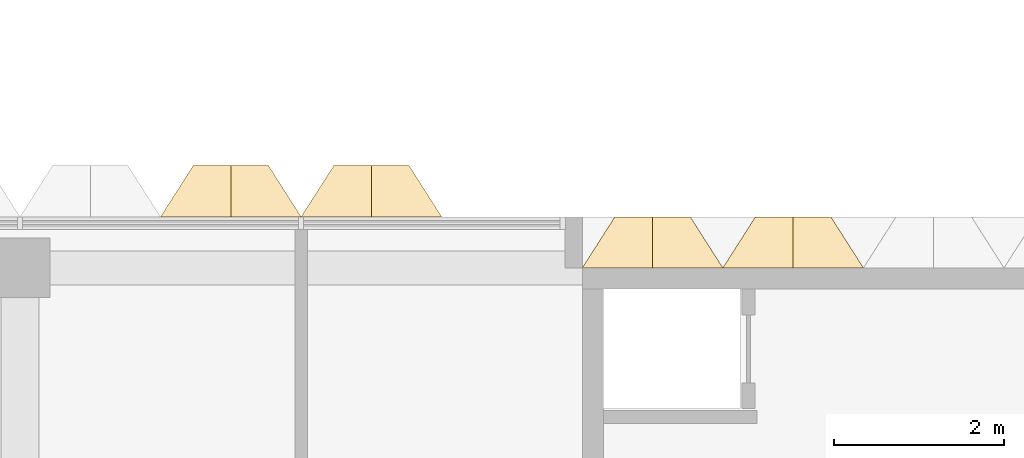
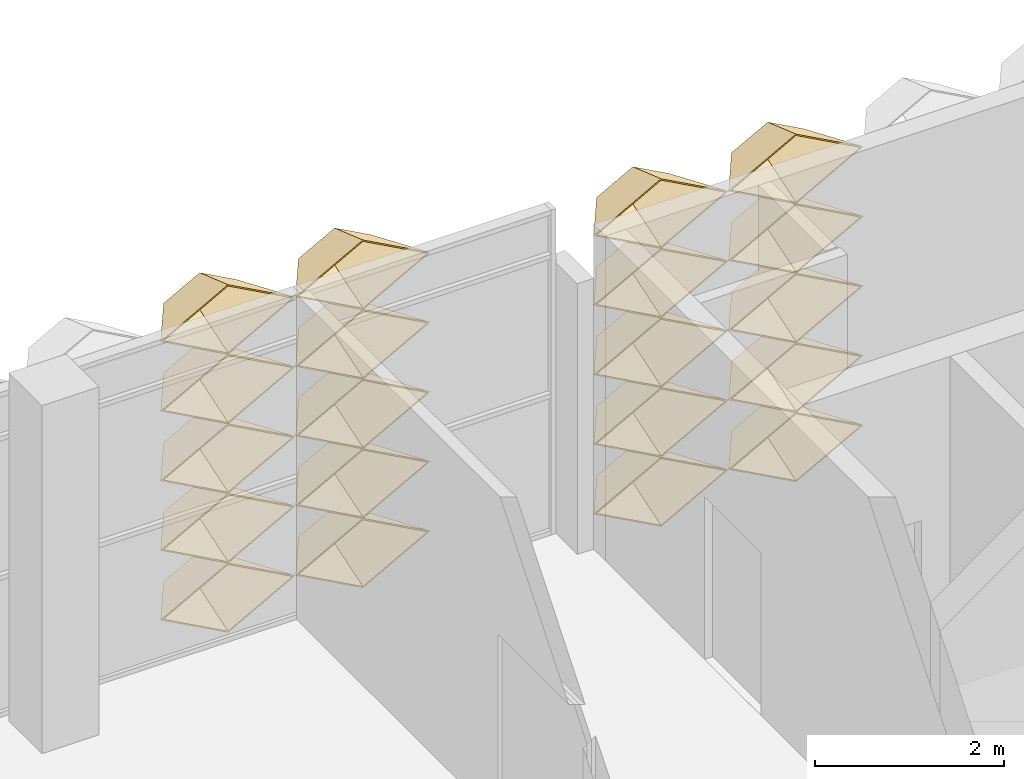
# One storey, part 51 of 85: 20 coverings.
"""IFC4 building model written with IfcOpenShell, lengths in metres."""

from ifc_helpers import new_model, entity, si_unit, direction, frame, origin, place, context, subcontext, project, spatial, material, layer, layer_set, type_object, element, save


model = new_model("IFC4")

# Units and contexts
model_context = context("Model", 3, precision=1e-05, world=origin(), true_north=direction((0.0, 1.0)))
body_context = subcontext(model_context, "Body", "Model", "MODEL_VIEW")
ifc_project = project(units=[si_unit("LENGTHUNIT", "METRE"), si_unit("AREAUNIT", "SQUARE_METRE"), si_unit("VOLUMEUNIT", "CUBIC_METRE"), si_unit("PLANEANGLEUNIT", "RADIAN"), si_unit("MASSUNIT", "GRAM", prefix="KILO")], contexts=[model_context])

# Site, building, storey
site_placement = place(None, origin())
site = spatial("IfcSite", under=ifc_project, at=site_placement, CompositionType="ELEMENT")
building_placement = place(site_placement, origin())
building = spatial("IfcBuilding", under=site, at=building_placement, Name="Lantern Court Research Institute", CompositionType="ELEMENT")
storey_placement = place(building_placement, frame((0.0, 0.0, 18.89990234375)))
storey = spatial("IfcBuildingStorey", under=building, at=storey_placement, Name="L04", CompositionType="ELEMENT", Elevation=18.89990234375)

# Coverings
ifc_material = material(Name="Anodised aluminium", Category="aluminium")
ifc_layer = layer(ifc_material, 0.01611328125)
ifc_layer_set = layer_set([ifc_layer], Name="Anodised aluminium")
covering_type = type_object("IfcCoveringType", Name="Fin cassette 1650 x 900 x 600 aluminium", PredefinedType="CLADDING", material=ifc_layer_set)
covering_1_placement = place(storey_placement, frame((20.625, 23.10009765625, 0.4501953125), z_axis=(0.0, 1.0, 0.0), x_axis=(-1.0, 0.0, 0.0)))
cartesian_point_1 = entity("IfcCartesianPoint", [0.824951171875, 0.0])
cartesian_point_2 = entity("IfcCartesianPoint", [0.79150390625, 0.0])
cartesian_point_3 = entity("IfcCartesianPoint", [0.44189453125, 0.0])
cartesian_point_4 = entity("IfcCartesianPoint", [0.43359375, 0.0])
element("IfcCovering", 1, at=covering_1_placement, inside=storey, type_object=covering_type, Name="Fin cassette V4N-L04 1.13", PredefinedType="CLADDING", context=body_context, shape_type="SweptSolid", body=[
    entity("IfcExtrudedAreaSolidTapered", entity("IfcArbitraryProfileDefWithVoids", "AREA", None, entity("IfcPolyline", [cartesian_point_1, entity("IfcCartesianPoint", [0.0, 0.449951171875]), entity("IfcCartesianPoint", [-0.824951171875, 0.0]), entity("IfcCartesianPoint", [0.0, -0.449951171875]), cartesian_point_1]), [entity("IfcPolyline", [cartesian_point_2, entity("IfcCartesianPoint", [0.0, 0.431884765625]), entity("IfcCartesianPoint", [-0.79150390625, 0.0]), entity("IfcCartesianPoint", [0.0, -0.431884765625]), cartesian_point_2])]), entity("IfcAxis2Placement3D", entity("IfcCartesianPoint", [0.0, 0.0, 0.0])), entity("IfcDirection", [0.0, 0.0, 1.0]), 0.60009765625, entity("IfcArbitraryProfileDefWithVoids", "AREA", None, entity("IfcPolyline", [cartesian_point_3, entity("IfcCartesianPoint", [0.0, 0.240966796875]), entity("IfcCartesianPoint", [-0.44189453125, 0.0]), entity("IfcCartesianPoint", [0.0, -0.240966796875]), cartesian_point_3]), [entity("IfcPolyline", [cartesian_point_4, entity("IfcCartesianPoint", [0.0, 0.236572265625]), entity("IfcCartesianPoint", [-0.43359375, 0.0]), entity("IfcCartesianPoint", [0.0, -0.236572265625]), cartesian_point_4])])),
])
covering_2_placement = place(storey_placement, frame((22.27490234375, 23.10009765625, 0.4501953125), z_axis=(0.0, 1.0, 0.0), x_axis=(-1.0, 0.0, 0.0)))
cartesian_point_5 = entity("IfcCartesianPoint", [0.824951171875, 0.0])
cartesian_point_6 = entity("IfcCartesianPoint", [0.79150390625, 0.0])
cartesian_point_7 = entity("IfcCartesianPoint", [0.44189453125, 0.0])
cartesian_point_8 = entity("IfcCartesianPoint", [0.43359375, 0.0])
element("IfcCovering", 2, at=covering_2_placement, inside=storey, type_object=covering_type, Name="Fin cassette V4N-L04 1.14", PredefinedType="CLADDING", context=body_context, shape_type="SweptSolid", body=[
    entity("IfcExtrudedAreaSolidTapered", entity("IfcArbitraryProfileDefWithVoids", "AREA", None, entity("IfcPolyline", [cartesian_point_5, entity("IfcCartesianPoint", [0.0, 0.449951171875]), entity("IfcCartesianPoint", [-0.824951171875, 0.0]), entity("IfcCartesianPoint", [0.0, -0.449951171875]), cartesian_point_5]), [entity("IfcPolyline", [cartesian_point_6, entity("IfcCartesianPoint", [0.0, 0.431884765625]), entity("IfcCartesianPoint", [-0.79150390625, 0.0]), entity("IfcCartesianPoint", [0.0, -0.431884765625]), cartesian_point_6])]), entity("IfcAxis2Placement3D", entity("IfcCartesianPoint", [0.0, 0.0, 0.0])), entity("IfcDirection", [0.0, 0.0, 1.0]), 0.60009765625, entity("IfcArbitraryProfileDefWithVoids", "AREA", None, entity("IfcPolyline", [cartesian_point_7, entity("IfcCartesianPoint", [0.0, 0.240966796875]), entity("IfcCartesianPoint", [-0.44189453125, 0.0]), entity("IfcCartesianPoint", [0.0, -0.240966796875]), cartesian_point_7]), [entity("IfcPolyline", [cartesian_point_8, entity("IfcCartesianPoint", [0.0, 0.236572265625]), entity("IfcCartesianPoint", [-0.43359375, 0.0]), entity("IfcCartesianPoint", [0.0, -0.236572265625]), cartesian_point_8])])),
])
covering_3_placement = place(storey_placement, frame((20.625, 23.10009765625, 1.35009765625), z_axis=(0.0, 1.0, 0.0), x_axis=(-1.0, 0.0, 0.0)))
cartesian_point_9 = entity("IfcCartesianPoint", [0.824951171875, 0.0])
cartesian_point_10 = entity("IfcCartesianPoint", [0.79150390625, 0.0])
cartesian_point_11 = entity("IfcCartesianPoint", [0.44189453125, 0.0])
cartesian_point_12 = entity("IfcCartesianPoint", [0.43359375, 0.0])
element("IfcCovering", 3, at=covering_3_placement, inside=storey, type_object=covering_type, Name="Fin cassette V4N-L04 2.13", PredefinedType="CLADDING", context=body_context, shape_type="SweptSolid", body=[
    entity("IfcExtrudedAreaSolidTapered", entity("IfcArbitraryProfileDefWithVoids", "AREA", None, entity("IfcPolyline", [cartesian_point_9, entity("IfcCartesianPoint", [0.0, 0.449951171875]), entity("IfcCartesianPoint", [-0.824951171875, 0.0]), entity("IfcCartesianPoint", [0.0, -0.449951171875]), cartesian_point_9]), [entity("IfcPolyline", [cartesian_point_10, entity("IfcCartesianPoint", [0.0, 0.431884765625]), entity("IfcCartesianPoint", [-0.79150390625, 0.0]), entity("IfcCartesianPoint", [0.0, -0.431884765625]), cartesian_point_10])]), entity("IfcAxis2Placement3D", entity("IfcCartesianPoint", [0.0, 0.0, 0.0])), entity("IfcDirection", [0.0, 0.0, 1.0]), 0.60009765625, entity("IfcArbitraryProfileDefWithVoids", "AREA", None, entity("IfcPolyline", [cartesian_point_11, entity("IfcCartesianPoint", [0.0, 0.240966796875]), entity("IfcCartesianPoint", [-0.44189453125, 0.0]), entity("IfcCartesianPoint", [0.0, -0.240966796875]), cartesian_point_11]), [entity("IfcPolyline", [cartesian_point_12, entity("IfcCartesianPoint", [0.0, 0.236572265625]), entity("IfcCartesianPoint", [-0.43359375, 0.0]), entity("IfcCartesianPoint", [0.0, -0.236572265625]), cartesian_point_12])])),
])
covering_4_placement = place(storey_placement, frame((22.27490234375, 23.10009765625, 1.35009765625), z_axis=(0.0, 1.0, 0.0), x_axis=(-1.0, 0.0, 0.0)))
cartesian_point_13 = entity("IfcCartesianPoint", [0.824951171875, 0.0])
cartesian_point_14 = entity("IfcCartesianPoint", [0.79150390625, 0.0])
cartesian_point_15 = entity("IfcCartesianPoint", [0.44189453125, 0.0])
cartesian_point_16 = entity("IfcCartesianPoint", [0.43359375, 0.0])
element("IfcCovering", 4, at=covering_4_placement, inside=storey, type_object=covering_type, Name="Fin cassette V4N-L04 2.14", PredefinedType="CLADDING", context=body_context, shape_type="SweptSolid", body=[
    entity("IfcExtrudedAreaSolidTapered", entity("IfcArbitraryProfileDefWithVoids", "AREA", None, entity("IfcPolyline", [cartesian_point_13, entity("IfcCartesianPoint", [0.0, 0.449951171875]), entity("IfcCartesianPoint", [-0.824951171875, 0.0]), entity("IfcCartesianPoint", [0.0, -0.449951171875]), cartesian_point_13]), [entity("IfcPolyline", [cartesian_point_14, entity("IfcCartesianPoint", [0.0, 0.431884765625]), entity("IfcCartesianPoint", [-0.79150390625, 0.0]), entity("IfcCartesianPoint", [0.0, -0.431884765625]), cartesian_point_14])]), entity("IfcAxis2Placement3D", entity("IfcCartesianPoint", [0.0, 0.0, 0.0])), entity("IfcDirection", [0.0, 0.0, 1.0]), 0.60009765625, entity("IfcArbitraryProfileDefWithVoids", "AREA", None, entity("IfcPolyline", [cartesian_point_15, entity("IfcCartesianPoint", [0.0, 0.240966796875]), entity("IfcCartesianPoint", [-0.44189453125, 0.0]), entity("IfcCartesianPoint", [0.0, -0.240966796875]), cartesian_point_15]), [entity("IfcPolyline", [cartesian_point_16, entity("IfcCartesianPoint", [0.0, 0.236572265625]), entity("IfcCartesianPoint", [-0.43359375, 0.0]), entity("IfcCartesianPoint", [0.0, -0.236572265625]), cartesian_point_16])])),
])
covering_5_placement = place(storey_placement, frame((20.625, 23.10009765625, 2.25), z_axis=(0.0, 1.0, 0.0), x_axis=(-1.0, 0.0, 0.0)))
cartesian_point_17 = entity("IfcCartesianPoint", [0.824951171875, 0.0])
cartesian_point_18 = entity("IfcCartesianPoint", [0.79150390625, 0.0])
cartesian_point_19 = entity("IfcCartesianPoint", [0.44189453125, 0.0])
cartesian_point_20 = entity("IfcCartesianPoint", [0.43359375, 0.0])
element("IfcCovering", 5, at=covering_5_placement, inside=storey, type_object=covering_type, Name="Fin cassette V4N-L04 3.13", PredefinedType="CLADDING", context=body_context, shape_type="SweptSolid", body=[
    entity("IfcExtrudedAreaSolidTapered", entity("IfcArbitraryProfileDefWithVoids", "AREA", None, entity("IfcPolyline", [cartesian_point_17, entity("IfcCartesianPoint", [0.0, 0.449951171875]), entity("IfcCartesianPoint", [-0.824951171875, 0.0]), entity("IfcCartesianPoint", [0.0, -0.449951171875]), cartesian_point_17]), [entity("IfcPolyline", [cartesian_point_18, entity("IfcCartesianPoint", [0.0, 0.431884765625]), entity("IfcCartesianPoint", [-0.79150390625, 0.0]), entity("IfcCartesianPoint", [0.0, -0.431884765625]), cartesian_point_18])]), entity("IfcAxis2Placement3D", entity("IfcCartesianPoint", [0.0, 0.0, 0.0])), entity("IfcDirection", [0.0, 0.0, 1.0]), 0.60009765625, entity("IfcArbitraryProfileDefWithVoids", "AREA", None, entity("IfcPolyline", [cartesian_point_19, entity("IfcCartesianPoint", [0.0, 0.240966796875]), entity("IfcCartesianPoint", [-0.44189453125, 0.0]), entity("IfcCartesianPoint", [0.0, -0.240966796875]), cartesian_point_19]), [entity("IfcPolyline", [cartesian_point_20, entity("IfcCartesianPoint", [0.0, 0.236572265625]), entity("IfcCartesianPoint", [-0.43359375, 0.0]), entity("IfcCartesianPoint", [0.0, -0.236572265625]), cartesian_point_20])])),
])
covering_6_placement = place(storey_placement, frame((22.27490234375, 23.10009765625, 2.25), z_axis=(0.0, 1.0, 0.0), x_axis=(-1.0, 0.0, 0.0)))
cartesian_point_21 = entity("IfcCartesianPoint", [0.824951171875, 0.0])
cartesian_point_22 = entity("IfcCartesianPoint", [0.79150390625, 0.0])
cartesian_point_23 = entity("IfcCartesianPoint", [0.44189453125, 0.0])
cartesian_point_24 = entity("IfcCartesianPoint", [0.43359375, 0.0])
element("IfcCovering", 6, at=covering_6_placement, inside=storey, type_object=covering_type, Name="Fin cassette V4N-L04 3.14", PredefinedType="CLADDING", context=body_context, shape_type="SweptSolid", body=[
    entity("IfcExtrudedAreaSolidTapered", entity("IfcArbitraryProfileDefWithVoids", "AREA", None, entity("IfcPolyline", [cartesian_point_21, entity("IfcCartesianPoint", [0.0, 0.449951171875]), entity("IfcCartesianPoint", [-0.824951171875, 0.0]), entity("IfcCartesianPoint", [0.0, -0.449951171875]), cartesian_point_21]), [entity("IfcPolyline", [cartesian_point_22, entity("IfcCartesianPoint", [0.0, 0.431884765625]), entity("IfcCartesianPoint", [-0.79150390625, 0.0]), entity("IfcCartesianPoint", [0.0, -0.431884765625]), cartesian_point_22])]), entity("IfcAxis2Placement3D", entity("IfcCartesianPoint", [0.0, 0.0, 0.0])), entity("IfcDirection", [0.0, 0.0, 1.0]), 0.60009765625, entity("IfcArbitraryProfileDefWithVoids", "AREA", None, entity("IfcPolyline", [cartesian_point_23, entity("IfcCartesianPoint", [0.0, 0.240966796875]), entity("IfcCartesianPoint", [-0.44189453125, 0.0]), entity("IfcCartesianPoint", [0.0, -0.240966796875]), cartesian_point_23]), [entity("IfcPolyline", [cartesian_point_24, entity("IfcCartesianPoint", [0.0, 0.236572265625]), entity("IfcCartesianPoint", [-0.43359375, 0.0]), entity("IfcCartesianPoint", [0.0, -0.236572265625]), cartesian_point_24])])),
])
covering_7_placement = place(storey_placement, frame((20.625, 23.10009765625, 3.150146484375), z_axis=(0.0, 1.0, 0.0), x_axis=(-1.0, 0.0, 0.0)))
cartesian_point_25 = entity("IfcCartesianPoint", [0.824951171875, 0.0])
cartesian_point_26 = entity("IfcCartesianPoint", [0.79150390625, 0.0])
cartesian_point_27 = entity("IfcCartesianPoint", [0.44189453125, 0.0])
cartesian_point_28 = entity("IfcCartesianPoint", [0.43359375, 0.0])
element("IfcCovering", 7, at=covering_7_placement, inside=storey, type_object=covering_type, Name="Fin cassette V4N-L04 4.13", PredefinedType="CLADDING", context=body_context, shape_type="SweptSolid", body=[
    entity("IfcExtrudedAreaSolidTapered", entity("IfcArbitraryProfileDefWithVoids", "AREA", None, entity("IfcPolyline", [cartesian_point_25, entity("IfcCartesianPoint", [0.0, 0.449951171875]), entity("IfcCartesianPoint", [-0.824951171875, 0.0]), entity("IfcCartesianPoint", [0.0, -0.449951171875]), cartesian_point_25]), [entity("IfcPolyline", [cartesian_point_26, entity("IfcCartesianPoint", [0.0, 0.431884765625]), entity("IfcCartesianPoint", [-0.79150390625, 0.0]), entity("IfcCartesianPoint", [0.0, -0.431884765625]), cartesian_point_26])]), entity("IfcAxis2Placement3D", entity("IfcCartesianPoint", [0.0, 0.0, 0.0])), entity("IfcDirection", [0.0, 0.0, 1.0]), 0.60009765625, entity("IfcArbitraryProfileDefWithVoids", "AREA", None, entity("IfcPolyline", [cartesian_point_27, entity("IfcCartesianPoint", [0.0, 0.240966796875]), entity("IfcCartesianPoint", [-0.44189453125, 0.0]), entity("IfcCartesianPoint", [0.0, -0.240966796875]), cartesian_point_27]), [entity("IfcPolyline", [cartesian_point_28, entity("IfcCartesianPoint", [0.0, 0.236572265625]), entity("IfcCartesianPoint", [-0.43359375, 0.0]), entity("IfcCartesianPoint", [0.0, -0.236572265625]), cartesian_point_28])])),
])
covering_8_placement = place(storey_placement, frame((22.27490234375, 23.10009765625, 3.150146484375), z_axis=(0.0, 1.0, 0.0), x_axis=(-1.0, 0.0, 0.0)))
cartesian_point_29 = entity("IfcCartesianPoint", [0.824951171875, 0.0])
cartesian_point_30 = entity("IfcCartesianPoint", [0.79150390625, 0.0])
cartesian_point_31 = entity("IfcCartesianPoint", [0.44189453125, 0.0])
cartesian_point_32 = entity("IfcCartesianPoint", [0.43359375, 0.0])
element("IfcCovering", 8, at=covering_8_placement, inside=storey, type_object=covering_type, Name="Fin cassette V4N-L04 4.14", PredefinedType="CLADDING", context=body_context, shape_type="SweptSolid", body=[
    entity("IfcExtrudedAreaSolidTapered", entity("IfcArbitraryProfileDefWithVoids", "AREA", None, entity("IfcPolyline", [cartesian_point_29, entity("IfcCartesianPoint", [0.0, 0.449951171875]), entity("IfcCartesianPoint", [-0.824951171875, 0.0]), entity("IfcCartesianPoint", [0.0, -0.449951171875]), cartesian_point_29]), [entity("IfcPolyline", [cartesian_point_30, entity("IfcCartesianPoint", [0.0, 0.431884765625]), entity("IfcCartesianPoint", [-0.79150390625, 0.0]), entity("IfcCartesianPoint", [0.0, -0.431884765625]), cartesian_point_30])]), entity("IfcAxis2Placement3D", entity("IfcCartesianPoint", [0.0, 0.0, 0.0])), entity("IfcDirection", [0.0, 0.0, 1.0]), 0.60009765625, entity("IfcArbitraryProfileDefWithVoids", "AREA", None, entity("IfcPolyline", [cartesian_point_31, entity("IfcCartesianPoint", [0.0, 0.240966796875]), entity("IfcCartesianPoint", [-0.44189453125, 0.0]), entity("IfcCartesianPoint", [0.0, -0.240966796875]), cartesian_point_31]), [entity("IfcPolyline", [cartesian_point_32, entity("IfcCartesianPoint", [0.0, 0.236572265625]), entity("IfcCartesianPoint", [-0.43359375, 0.0]), entity("IfcCartesianPoint", [0.0, -0.236572265625]), cartesian_point_32])])),
])
covering_9_placement = place(storey_placement, frame((20.625, 23.10009765625, 4.050048828125), z_axis=(0.0, 1.0, 0.0), x_axis=(-1.0, 0.0, 0.0)))
cartesian_point_33 = entity("IfcCartesianPoint", [0.824951171875, 0.0])
cartesian_point_34 = entity("IfcCartesianPoint", [0.79150390625, 0.0])
cartesian_point_35 = entity("IfcCartesianPoint", [0.44189453125, 0.0])
cartesian_point_36 = entity("IfcCartesianPoint", [0.43359375, 0.0])
element("IfcCovering", 9, at=covering_9_placement, inside=storey, type_object=covering_type, Name="Fin cassette V4N-L04 5.13", PredefinedType="CLADDING", context=body_context, shape_type="SweptSolid", body=[
    entity("IfcExtrudedAreaSolidTapered", entity("IfcArbitraryProfileDefWithVoids", "AREA", None, entity("IfcPolyline", [cartesian_point_33, entity("IfcCartesianPoint", [0.0, 0.449951171875]), entity("IfcCartesianPoint", [-0.824951171875, 0.0]), entity("IfcCartesianPoint", [0.0, -0.449951171875]), cartesian_point_33]), [entity("IfcPolyline", [cartesian_point_34, entity("IfcCartesianPoint", [0.0, 0.431884765625]), entity("IfcCartesianPoint", [-0.79150390625, 0.0]), entity("IfcCartesianPoint", [0.0, -0.431884765625]), cartesian_point_34])]), entity("IfcAxis2Placement3D", entity("IfcCartesianPoint", [0.0, 0.0, 0.0])), entity("IfcDirection", [0.0, 0.0, 1.0]), 0.60009765625, entity("IfcArbitraryProfileDefWithVoids", "AREA", None, entity("IfcPolyline", [cartesian_point_35, entity("IfcCartesianPoint", [0.0, 0.240966796875]), entity("IfcCartesianPoint", [-0.44189453125, 0.0]), entity("IfcCartesianPoint", [0.0, -0.240966796875]), cartesian_point_35]), [entity("IfcPolyline", [cartesian_point_36, entity("IfcCartesianPoint", [0.0, 0.236572265625]), entity("IfcCartesianPoint", [-0.43359375, 0.0]), entity("IfcCartesianPoint", [0.0, -0.236572265625]), cartesian_point_36])])),
])
covering_10_placement = place(storey_placement, frame((22.27490234375, 23.10009765625, 4.050048828125), z_axis=(0.0, 1.0, 0.0), x_axis=(-1.0, 0.0, 0.0)))
cartesian_point_37 = entity("IfcCartesianPoint", [0.824951171875, 0.0])
cartesian_point_38 = entity("IfcCartesianPoint", [0.79150390625, 0.0])
cartesian_point_39 = entity("IfcCartesianPoint", [0.44189453125, 0.0])
cartesian_point_40 = entity("IfcCartesianPoint", [0.43359375, 0.0])
element("IfcCovering", 10, at=covering_10_placement, inside=storey, type_object=covering_type, Name="Fin cassette V4N-L04 5.14", PredefinedType="CLADDING", context=body_context, shape_type="SweptSolid", body=[
    entity("IfcExtrudedAreaSolidTapered", entity("IfcArbitraryProfileDefWithVoids", "AREA", None, entity("IfcPolyline", [cartesian_point_37, entity("IfcCartesianPoint", [0.0, 0.449951171875]), entity("IfcCartesianPoint", [-0.824951171875, 0.0]), entity("IfcCartesianPoint", [0.0, -0.449951171875]), cartesian_point_37]), [entity("IfcPolyline", [cartesian_point_38, entity("IfcCartesianPoint", [0.0, 0.431884765625]), entity("IfcCartesianPoint", [-0.79150390625, 0.0]), entity("IfcCartesianPoint", [0.0, -0.431884765625]), cartesian_point_38])]), entity("IfcAxis2Placement3D", entity("IfcCartesianPoint", [0.0, 0.0, 0.0])), entity("IfcDirection", [0.0, 0.0, 1.0]), 0.60009765625, entity("IfcArbitraryProfileDefWithVoids", "AREA", None, entity("IfcPolyline", [cartesian_point_39, entity("IfcCartesianPoint", [0.0, 0.240966796875]), entity("IfcCartesianPoint", [-0.44189453125, 0.0]), entity("IfcCartesianPoint", [0.0, -0.240966796875]), cartesian_point_39]), [entity("IfcPolyline", [cartesian_point_40, entity("IfcCartesianPoint", [0.0, 0.236572265625]), entity("IfcCartesianPoint", [-0.43359375, 0.0]), entity("IfcCartesianPoint", [0.0, -0.236572265625]), cartesian_point_40])])),
])
covering_11_placement = place(storey_placement, frame((15.675048828125, 23.699951171875, 0.4501953125), z_axis=(0.0, 1.0, 0.0), x_axis=(-1.0, 0.0, 0.0)))
cartesian_point_41 = entity("IfcCartesianPoint", [0.824951171875, 0.0])
cartesian_point_42 = entity("IfcCartesianPoint", [0.79150390625, 0.0])
cartesian_point_43 = entity("IfcCartesianPoint", [0.44189453125, 0.0])
cartesian_point_44 = entity("IfcCartesianPoint", [0.43359375, 0.0])
element("IfcCovering", 11, at=covering_11_placement, inside=storey, type_object=covering_type, Name="Fin cassette V4N-L04 1.10", PredefinedType="CLADDING", context=body_context, shape_type="SweptSolid", body=[
    entity("IfcExtrudedAreaSolidTapered", entity("IfcArbitraryProfileDefWithVoids", "AREA", None, entity("IfcPolyline", [cartesian_point_41, entity("IfcCartesianPoint", [0.0, 0.449951171875]), entity("IfcCartesianPoint", [-0.824951171875, 0.0]), entity("IfcCartesianPoint", [0.0, -0.449951171875]), cartesian_point_41]), [entity("IfcPolyline", [cartesian_point_42, entity("IfcCartesianPoint", [0.0, 0.431884765625]), entity("IfcCartesianPoint", [-0.79150390625, 0.0]), entity("IfcCartesianPoint", [0.0, -0.431884765625]), cartesian_point_42])]), entity("IfcAxis2Placement3D", entity("IfcCartesianPoint", [0.0, 0.0, 0.0])), entity("IfcDirection", [0.0, 0.0, 1.0]), 0.60009765625, entity("IfcArbitraryProfileDefWithVoids", "AREA", None, entity("IfcPolyline", [cartesian_point_43, entity("IfcCartesianPoint", [0.0, 0.240966796875]), entity("IfcCartesianPoint", [-0.44189453125, 0.0]), entity("IfcCartesianPoint", [0.0, -0.240966796875]), cartesian_point_43]), [entity("IfcPolyline", [cartesian_point_44, entity("IfcCartesianPoint", [0.0, 0.236572265625]), entity("IfcCartesianPoint", [-0.43359375, 0.0]), entity("IfcCartesianPoint", [0.0, -0.236572265625]), cartesian_point_44])])),
])
covering_12_placement = place(storey_placement, frame((17.324951171875, 23.699951171875, 0.4501953125), z_axis=(0.0, 1.0, 0.0), x_axis=(-1.0, 0.0, 0.0)))
cartesian_point_45 = entity("IfcCartesianPoint", [0.824951171875, 0.0])
cartesian_point_46 = entity("IfcCartesianPoint", [0.79150390625, 0.0])
cartesian_point_47 = entity("IfcCartesianPoint", [0.44189453125, 0.0])
cartesian_point_48 = entity("IfcCartesianPoint", [0.43359375, 0.0])
element("IfcCovering", 12, at=covering_12_placement, inside=storey, type_object=covering_type, Name="Fin cassette V4N-L04 1.11", PredefinedType="CLADDING", context=body_context, shape_type="SweptSolid", body=[
    entity("IfcExtrudedAreaSolidTapered", entity("IfcArbitraryProfileDefWithVoids", "AREA", None, entity("IfcPolyline", [cartesian_point_45, entity("IfcCartesianPoint", [0.0, 0.449951171875]), entity("IfcCartesianPoint", [-0.824951171875, 0.0]), entity("IfcCartesianPoint", [0.0, -0.449951171875]), cartesian_point_45]), [entity("IfcPolyline", [cartesian_point_46, entity("IfcCartesianPoint", [0.0, 0.431884765625]), entity("IfcCartesianPoint", [-0.79150390625, 0.0]), entity("IfcCartesianPoint", [0.0, -0.431884765625]), cartesian_point_46])]), entity("IfcAxis2Placement3D", entity("IfcCartesianPoint", [0.0, 0.0, 0.0])), entity("IfcDirection", [0.0, 0.0, 1.0]), 0.60009765625, entity("IfcArbitraryProfileDefWithVoids", "AREA", None, entity("IfcPolyline", [cartesian_point_47, entity("IfcCartesianPoint", [0.0, 0.240966796875]), entity("IfcCartesianPoint", [-0.44189453125, 0.0]), entity("IfcCartesianPoint", [0.0, -0.240966796875]), cartesian_point_47]), [entity("IfcPolyline", [cartesian_point_48, entity("IfcCartesianPoint", [0.0, 0.236572265625]), entity("IfcCartesianPoint", [-0.43359375, 0.0]), entity("IfcCartesianPoint", [0.0, -0.236572265625]), cartesian_point_48])])),
])
covering_13_placement = place(storey_placement, frame((15.675048828125, 23.699951171875, 1.35009765625), z_axis=(0.0, 1.0, 0.0), x_axis=(-1.0, 0.0, 0.0)))
cartesian_point_49 = entity("IfcCartesianPoint", [0.824951171875, 0.0])
cartesian_point_50 = entity("IfcCartesianPoint", [0.79150390625, 0.0])
cartesian_point_51 = entity("IfcCartesianPoint", [0.44189453125, 0.0])
cartesian_point_52 = entity("IfcCartesianPoint", [0.43359375, 0.0])
element("IfcCovering", 13, at=covering_13_placement, inside=storey, type_object=covering_type, Name="Fin cassette V4N-L04 2.10", PredefinedType="CLADDING", context=body_context, shape_type="SweptSolid", body=[
    entity("IfcExtrudedAreaSolidTapered", entity("IfcArbitraryProfileDefWithVoids", "AREA", None, entity("IfcPolyline", [cartesian_point_49, entity("IfcCartesianPoint", [0.0, 0.449951171875]), entity("IfcCartesianPoint", [-0.824951171875, 0.0]), entity("IfcCartesianPoint", [0.0, -0.449951171875]), cartesian_point_49]), [entity("IfcPolyline", [cartesian_point_50, entity("IfcCartesianPoint", [0.0, 0.431884765625]), entity("IfcCartesianPoint", [-0.79150390625, 0.0]), entity("IfcCartesianPoint", [0.0, -0.431884765625]), cartesian_point_50])]), entity("IfcAxis2Placement3D", entity("IfcCartesianPoint", [0.0, 0.0, 0.0])), entity("IfcDirection", [0.0, 0.0, 1.0]), 0.60009765625, entity("IfcArbitraryProfileDefWithVoids", "AREA", None, entity("IfcPolyline", [cartesian_point_51, entity("IfcCartesianPoint", [0.0, 0.240966796875]), entity("IfcCartesianPoint", [-0.44189453125, 0.0]), entity("IfcCartesianPoint", [0.0, -0.240966796875]), cartesian_point_51]), [entity("IfcPolyline", [cartesian_point_52, entity("IfcCartesianPoint", [0.0, 0.236572265625]), entity("IfcCartesianPoint", [-0.43359375, 0.0]), entity("IfcCartesianPoint", [0.0, -0.236572265625]), cartesian_point_52])])),
])
covering_14_placement = place(storey_placement, frame((17.324951171875, 23.699951171875, 1.35009765625), z_axis=(0.0, 1.0, 0.0), x_axis=(-1.0, 0.0, 0.0)))
cartesian_point_53 = entity("IfcCartesianPoint", [0.824951171875, 0.0])
cartesian_point_54 = entity("IfcCartesianPoint", [0.79150390625, 0.0])
cartesian_point_55 = entity("IfcCartesianPoint", [0.44189453125, 0.0])
cartesian_point_56 = entity("IfcCartesianPoint", [0.43359375, 0.0])
element("IfcCovering", 14, at=covering_14_placement, inside=storey, type_object=covering_type, Name="Fin cassette V4N-L04 2.11", PredefinedType="CLADDING", context=body_context, shape_type="SweptSolid", body=[
    entity("IfcExtrudedAreaSolidTapered", entity("IfcArbitraryProfileDefWithVoids", "AREA", None, entity("IfcPolyline", [cartesian_point_53, entity("IfcCartesianPoint", [0.0, 0.449951171875]), entity("IfcCartesianPoint", [-0.824951171875, 0.0]), entity("IfcCartesianPoint", [0.0, -0.449951171875]), cartesian_point_53]), [entity("IfcPolyline", [cartesian_point_54, entity("IfcCartesianPoint", [0.0, 0.431884765625]), entity("IfcCartesianPoint", [-0.79150390625, 0.0]), entity("IfcCartesianPoint", [0.0, -0.431884765625]), cartesian_point_54])]), entity("IfcAxis2Placement3D", entity("IfcCartesianPoint", [0.0, 0.0, 0.0])), entity("IfcDirection", [0.0, 0.0, 1.0]), 0.60009765625, entity("IfcArbitraryProfileDefWithVoids", "AREA", None, entity("IfcPolyline", [cartesian_point_55, entity("IfcCartesianPoint", [0.0, 0.240966796875]), entity("IfcCartesianPoint", [-0.44189453125, 0.0]), entity("IfcCartesianPoint", [0.0, -0.240966796875]), cartesian_point_55]), [entity("IfcPolyline", [cartesian_point_56, entity("IfcCartesianPoint", [0.0, 0.236572265625]), entity("IfcCartesianPoint", [-0.43359375, 0.0]), entity("IfcCartesianPoint", [0.0, -0.236572265625]), cartesian_point_56])])),
])
covering_15_placement = place(storey_placement, frame((15.675048828125, 23.699951171875, 2.25), z_axis=(0.0, 1.0, 0.0), x_axis=(-1.0, 0.0, 0.0)))
cartesian_point_57 = entity("IfcCartesianPoint", [0.824951171875, 0.0])
cartesian_point_58 = entity("IfcCartesianPoint", [0.79150390625, 0.0])
cartesian_point_59 = entity("IfcCartesianPoint", [0.44189453125, 0.0])
cartesian_point_60 = entity("IfcCartesianPoint", [0.43359375, 0.0])
element("IfcCovering", 15, at=covering_15_placement, inside=storey, type_object=covering_type, Name="Fin cassette V4N-L04 3.10", PredefinedType="CLADDING", context=body_context, shape_type="SweptSolid", body=[
    entity("IfcExtrudedAreaSolidTapered", entity("IfcArbitraryProfileDefWithVoids", "AREA", None, entity("IfcPolyline", [cartesian_point_57, entity("IfcCartesianPoint", [0.0, 0.449951171875]), entity("IfcCartesianPoint", [-0.824951171875, 0.0]), entity("IfcCartesianPoint", [0.0, -0.449951171875]), cartesian_point_57]), [entity("IfcPolyline", [cartesian_point_58, entity("IfcCartesianPoint", [0.0, 0.431884765625]), entity("IfcCartesianPoint", [-0.79150390625, 0.0]), entity("IfcCartesianPoint", [0.0, -0.431884765625]), cartesian_point_58])]), entity("IfcAxis2Placement3D", entity("IfcCartesianPoint", [0.0, 0.0, 0.0])), entity("IfcDirection", [0.0, 0.0, 1.0]), 0.60009765625, entity("IfcArbitraryProfileDefWithVoids", "AREA", None, entity("IfcPolyline", [cartesian_point_59, entity("IfcCartesianPoint", [0.0, 0.240966796875]), entity("IfcCartesianPoint", [-0.44189453125, 0.0]), entity("IfcCartesianPoint", [0.0, -0.240966796875]), cartesian_point_59]), [entity("IfcPolyline", [cartesian_point_60, entity("IfcCartesianPoint", [0.0, 0.236572265625]), entity("IfcCartesianPoint", [-0.43359375, 0.0]), entity("IfcCartesianPoint", [0.0, -0.236572265625]), cartesian_point_60])])),
])
covering_16_placement = place(storey_placement, frame((17.324951171875, 23.699951171875, 2.25), z_axis=(0.0, 1.0, 0.0), x_axis=(-1.0, 0.0, 0.0)))
cartesian_point_61 = entity("IfcCartesianPoint", [0.824951171875, 0.0])
cartesian_point_62 = entity("IfcCartesianPoint", [0.79150390625, 0.0])
cartesian_point_63 = entity("IfcCartesianPoint", [0.44189453125, 0.0])
cartesian_point_64 = entity("IfcCartesianPoint", [0.43359375, 0.0])
element("IfcCovering", 16, at=covering_16_placement, inside=storey, type_object=covering_type, Name="Fin cassette V4N-L04 3.11", PredefinedType="CLADDING", context=body_context, shape_type="SweptSolid", body=[
    entity("IfcExtrudedAreaSolidTapered", entity("IfcArbitraryProfileDefWithVoids", "AREA", None, entity("IfcPolyline", [cartesian_point_61, entity("IfcCartesianPoint", [0.0, 0.449951171875]), entity("IfcCartesianPoint", [-0.824951171875, 0.0]), entity("IfcCartesianPoint", [0.0, -0.449951171875]), cartesian_point_61]), [entity("IfcPolyline", [cartesian_point_62, entity("IfcCartesianPoint", [0.0, 0.431884765625]), entity("IfcCartesianPoint", [-0.79150390625, 0.0]), entity("IfcCartesianPoint", [0.0, -0.431884765625]), cartesian_point_62])]), entity("IfcAxis2Placement3D", entity("IfcCartesianPoint", [0.0, 0.0, 0.0])), entity("IfcDirection", [0.0, 0.0, 1.0]), 0.60009765625, entity("IfcArbitraryProfileDefWithVoids", "AREA", None, entity("IfcPolyline", [cartesian_point_63, entity("IfcCartesianPoint", [0.0, 0.240966796875]), entity("IfcCartesianPoint", [-0.44189453125, 0.0]), entity("IfcCartesianPoint", [0.0, -0.240966796875]), cartesian_point_63]), [entity("IfcPolyline", [cartesian_point_64, entity("IfcCartesianPoint", [0.0, 0.236572265625]), entity("IfcCartesianPoint", [-0.43359375, 0.0]), entity("IfcCartesianPoint", [0.0, -0.236572265625]), cartesian_point_64])])),
])
covering_17_placement = place(storey_placement, frame((15.675048828125, 23.699951171875, 3.150146484375), z_axis=(0.0, 1.0, 0.0), x_axis=(-1.0, 0.0, 0.0)))
cartesian_point_65 = entity("IfcCartesianPoint", [0.824951171875, 0.0])
cartesian_point_66 = entity("IfcCartesianPoint", [0.79150390625, 0.0])
cartesian_point_67 = entity("IfcCartesianPoint", [0.44189453125, 0.0])
cartesian_point_68 = entity("IfcCartesianPoint", [0.43359375, 0.0])
element("IfcCovering", 17, at=covering_17_placement, inside=storey, type_object=covering_type, Name="Fin cassette V4N-L04 4.10", PredefinedType="CLADDING", context=body_context, shape_type="SweptSolid", body=[
    entity("IfcExtrudedAreaSolidTapered", entity("IfcArbitraryProfileDefWithVoids", "AREA", None, entity("IfcPolyline", [cartesian_point_65, entity("IfcCartesianPoint", [0.0, 0.449951171875]), entity("IfcCartesianPoint", [-0.824951171875, 0.0]), entity("IfcCartesianPoint", [0.0, -0.449951171875]), cartesian_point_65]), [entity("IfcPolyline", [cartesian_point_66, entity("IfcCartesianPoint", [0.0, 0.431884765625]), entity("IfcCartesianPoint", [-0.79150390625, 0.0]), entity("IfcCartesianPoint", [0.0, -0.431884765625]), cartesian_point_66])]), entity("IfcAxis2Placement3D", entity("IfcCartesianPoint", [0.0, 0.0, 0.0])), entity("IfcDirection", [0.0, 0.0, 1.0]), 0.60009765625, entity("IfcArbitraryProfileDefWithVoids", "AREA", None, entity("IfcPolyline", [cartesian_point_67, entity("IfcCartesianPoint", [0.0, 0.240966796875]), entity("IfcCartesianPoint", [-0.44189453125, 0.0]), entity("IfcCartesianPoint", [0.0, -0.240966796875]), cartesian_point_67]), [entity("IfcPolyline", [cartesian_point_68, entity("IfcCartesianPoint", [0.0, 0.236572265625]), entity("IfcCartesianPoint", [-0.43359375, 0.0]), entity("IfcCartesianPoint", [0.0, -0.236572265625]), cartesian_point_68])])),
])
covering_18_placement = place(storey_placement, frame((17.324951171875, 23.699951171875, 3.150146484375), z_axis=(0.0, 1.0, 0.0), x_axis=(-1.0, 0.0, 0.0)))
cartesian_point_69 = entity("IfcCartesianPoint", [0.824951171875, 0.0])
cartesian_point_70 = entity("IfcCartesianPoint", [0.79150390625, 0.0])
cartesian_point_71 = entity("IfcCartesianPoint", [0.44189453125, 0.0])
cartesian_point_72 = entity("IfcCartesianPoint", [0.43359375, 0.0])
element("IfcCovering", 18, at=covering_18_placement, inside=storey, type_object=covering_type, Name="Fin cassette V4N-L04 4.11", PredefinedType="CLADDING", context=body_context, shape_type="SweptSolid", body=[
    entity("IfcExtrudedAreaSolidTapered", entity("IfcArbitraryProfileDefWithVoids", "AREA", None, entity("IfcPolyline", [cartesian_point_69, entity("IfcCartesianPoint", [0.0, 0.449951171875]), entity("IfcCartesianPoint", [-0.824951171875, 0.0]), entity("IfcCartesianPoint", [0.0, -0.449951171875]), cartesian_point_69]), [entity("IfcPolyline", [cartesian_point_70, entity("IfcCartesianPoint", [0.0, 0.431884765625]), entity("IfcCartesianPoint", [-0.79150390625, 0.0]), entity("IfcCartesianPoint", [0.0, -0.431884765625]), cartesian_point_70])]), entity("IfcAxis2Placement3D", entity("IfcCartesianPoint", [0.0, 0.0, 0.0])), entity("IfcDirection", [0.0, 0.0, 1.0]), 0.60009765625, entity("IfcArbitraryProfileDefWithVoids", "AREA", None, entity("IfcPolyline", [cartesian_point_71, entity("IfcCartesianPoint", [0.0, 0.240966796875]), entity("IfcCartesianPoint", [-0.44189453125, 0.0]), entity("IfcCartesianPoint", [0.0, -0.240966796875]), cartesian_point_71]), [entity("IfcPolyline", [cartesian_point_72, entity("IfcCartesianPoint", [0.0, 0.236572265625]), entity("IfcCartesianPoint", [-0.43359375, 0.0]), entity("IfcCartesianPoint", [0.0, -0.236572265625]), cartesian_point_72])])),
])
covering_19_placement = place(storey_placement, frame((15.675048828125, 23.699951171875, 4.050048828125), z_axis=(0.0, 1.0, 0.0), x_axis=(-1.0, 0.0, 0.0)))
cartesian_point_73 = entity("IfcCartesianPoint", [0.824951171875, 0.0])
cartesian_point_74 = entity("IfcCartesianPoint", [0.79150390625, 0.0])
cartesian_point_75 = entity("IfcCartesianPoint", [0.44189453125, 0.0])
cartesian_point_76 = entity("IfcCartesianPoint", [0.43359375, 0.0])
element("IfcCovering", 19, at=covering_19_placement, inside=storey, type_object=covering_type, Name="Fin cassette V4N-L04 5.10", PredefinedType="CLADDING", context=body_context, shape_type="SweptSolid", body=[
    entity("IfcExtrudedAreaSolidTapered", entity("IfcArbitraryProfileDefWithVoids", "AREA", None, entity("IfcPolyline", [cartesian_point_73, entity("IfcCartesianPoint", [0.0, 0.449951171875]), entity("IfcCartesianPoint", [-0.824951171875, 0.0]), entity("IfcCartesianPoint", [0.0, -0.449951171875]), cartesian_point_73]), [entity("IfcPolyline", [cartesian_point_74, entity("IfcCartesianPoint", [0.0, 0.431884765625]), entity("IfcCartesianPoint", [-0.79150390625, 0.0]), entity("IfcCartesianPoint", [0.0, -0.431884765625]), cartesian_point_74])]), entity("IfcAxis2Placement3D", entity("IfcCartesianPoint", [0.0, 0.0, 0.0])), entity("IfcDirection", [0.0, 0.0, 1.0]), 0.60009765625, entity("IfcArbitraryProfileDefWithVoids", "AREA", None, entity("IfcPolyline", [cartesian_point_75, entity("IfcCartesianPoint", [0.0, 0.240966796875]), entity("IfcCartesianPoint", [-0.44189453125, 0.0]), entity("IfcCartesianPoint", [0.0, -0.240966796875]), cartesian_point_75]), [entity("IfcPolyline", [cartesian_point_76, entity("IfcCartesianPoint", [0.0, 0.236572265625]), entity("IfcCartesianPoint", [-0.43359375, 0.0]), entity("IfcCartesianPoint", [0.0, -0.236572265625]), cartesian_point_76])])),
])
covering_20_placement = place(storey_placement, frame((17.324951171875, 23.699951171875, 4.050048828125), z_axis=(0.0, 1.0, 0.0), x_axis=(-1.0, 0.0, 0.0)))
cartesian_point_77 = entity("IfcCartesianPoint", [0.824951171875, 0.0])
cartesian_point_78 = entity("IfcCartesianPoint", [0.79150390625, 0.0])
cartesian_point_79 = entity("IfcCartesianPoint", [0.44189453125, 0.0])
cartesian_point_80 = entity("IfcCartesianPoint", [0.43359375, 0.0])
element("IfcCovering", 20, at=covering_20_placement, inside=storey, type_object=covering_type, Name="Fin cassette V4N-L04 5.11", PredefinedType="CLADDING", context=body_context, shape_type="SweptSolid", body=[
    entity("IfcExtrudedAreaSolidTapered", entity("IfcArbitraryProfileDefWithVoids", "AREA", None, entity("IfcPolyline", [cartesian_point_77, entity("IfcCartesianPoint", [0.0, 0.449951171875]), entity("IfcCartesianPoint", [-0.824951171875, 0.0]), entity("IfcCartesianPoint", [0.0, -0.449951171875]), cartesian_point_77]), [entity("IfcPolyline", [cartesian_point_78, entity("IfcCartesianPoint", [0.0, 0.431884765625]), entity("IfcCartesianPoint", [-0.79150390625, 0.0]), entity("IfcCartesianPoint", [0.0, -0.431884765625]), cartesian_point_78])]), entity("IfcAxis2Placement3D", entity("IfcCartesianPoint", [0.0, 0.0, 0.0])), entity("IfcDirection", [0.0, 0.0, 1.0]), 0.60009765625, entity("IfcArbitraryProfileDefWithVoids", "AREA", None, entity("IfcPolyline", [cartesian_point_79, entity("IfcCartesianPoint", [0.0, 0.240966796875]), entity("IfcCartesianPoint", [-0.44189453125, 0.0]), entity("IfcCartesianPoint", [0.0, -0.240966796875]), cartesian_point_79]), [entity("IfcPolyline", [cartesian_point_80, entity("IfcCartesianPoint", [0.0, 0.236572265625]), entity("IfcCartesianPoint", [-0.43359375, 0.0]), entity("IfcCartesianPoint", [0.0, -0.236572265625]), cartesian_point_80])])),
])

save(model, "model.ifc")
